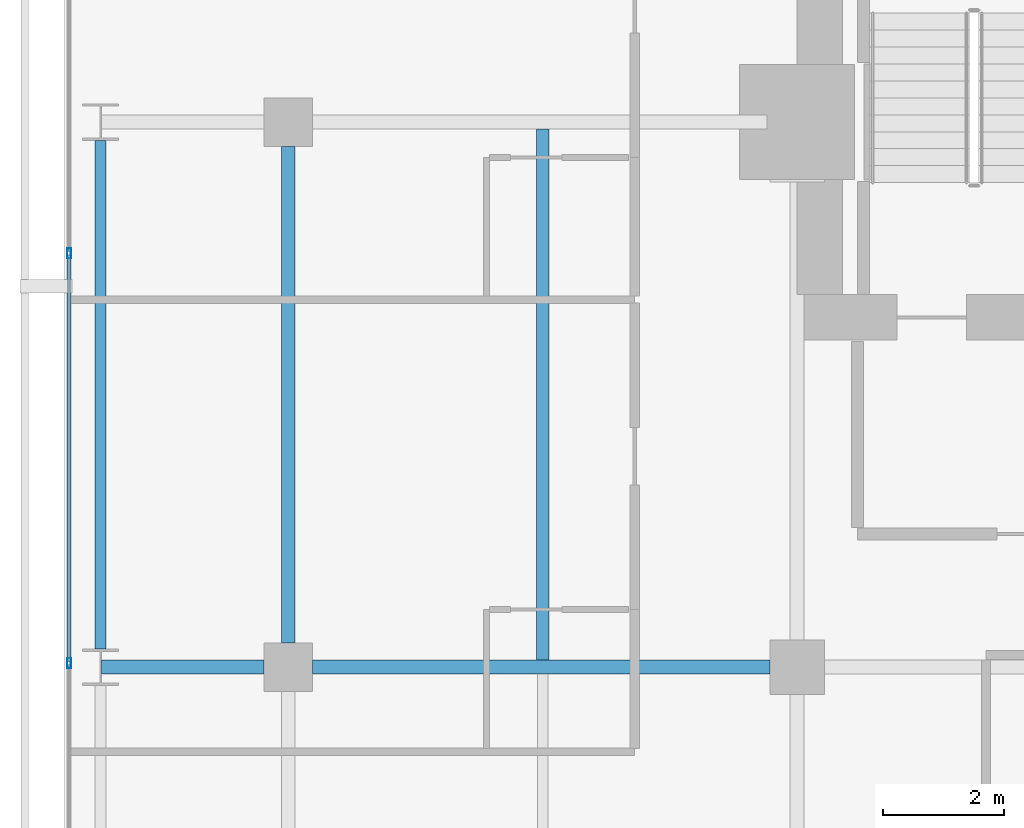
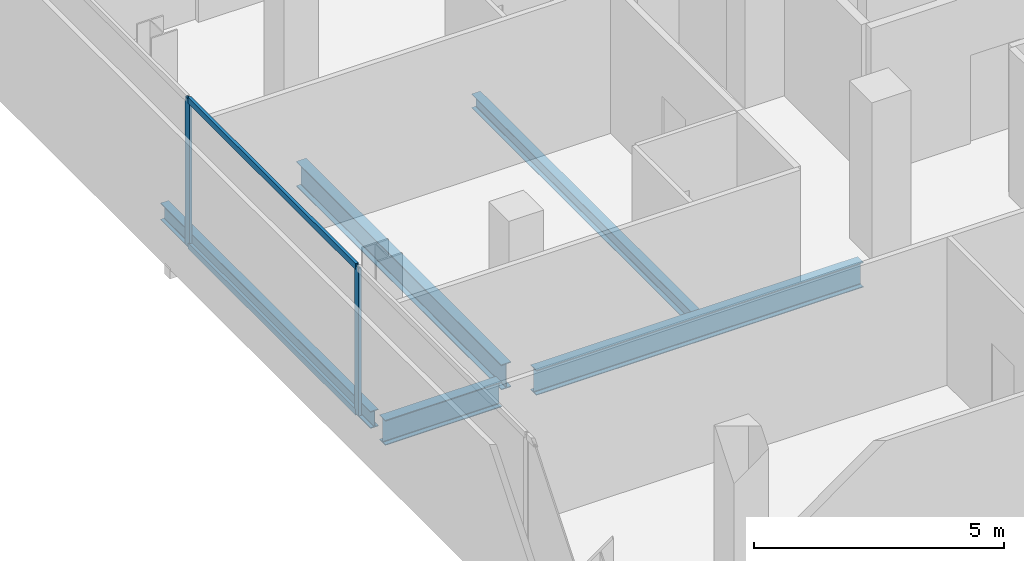
# One storey, part 18 of 33: 5 beams, 4 members, 1 element without a shape of its own.
"""IFC4 building model written with IfcOpenShell, lengths in metres."""

from ifc_helpers import new_model, si_unit, direction, frame, origin, origin_2d, place, context, subcontext, project, spatial, hollow_rectangle, i_section, extrude, material, layer, layer_set, material_profile, profile_set, type_object, element, aggregate, save


model = new_model("IFC4")

# Units and contexts
model_context = context("Model", 3, precision=1e-05, world=origin(), true_north=direction((0.0, 1.0)))
body_context = subcontext(model_context, "Body", "Model", "MODEL_VIEW")
ifc_project = project(units=[si_unit("LENGTHUNIT", "METRE"), si_unit("AREAUNIT", "SQUARE_METRE"), si_unit("VOLUMEUNIT", "CUBIC_METRE"), si_unit("PLANEANGLEUNIT", "RADIAN"), si_unit("MASSUNIT", "GRAM", prefix="KILO")], contexts=[model_context])

# Site, building, storey
site_placement = place(None, origin())
site = spatial("IfcSite", under=ifc_project, at=site_placement, CompositionType="ELEMENT")
building_placement = place(site_placement, origin())
building = spatial("IfcBuilding", under=site, at=building_placement, Name="Maruvema Waterfront Hotel and Observation Tower", CompositionType="ELEMENT")
storey_placement = place(building_placement, frame((0.0, 0.0, 154.35009765625)))
storey = spatial("IfcBuildingStorey", under=building, at=storey_placement, Name="L37", CompositionType="ELEMENT", Elevation=154.35009765625)

# Curtain wall, members
ifc_material_1 = material(Name="Anodised bronze aluminium and solar-control low-E IGU", Category="aluminium")
ifc_layer = layer(ifc_material_1, 0.159912109375, Name="Zone 2 Amber Inner Thermal Curtain Wall System CW-03")
ifc_layer_set = layer_set([ifc_layer], Name="Anodised bronze aluminium and solar-control low-E IGU")
curtain_wall_type = type_object("IfcCurtainWallType", Name="Zone 2 Amber Inner Thermal Curtain Wall System CW-03", PredefinedType="USERDEFINED", material=ifc_layer_set)
curtain_wall_placement = place(storey_placement, origin())
curtain_wall = element("IfcCurtainWall", 1, at=curtain_wall_placement, inside=storey, type_object=curtain_wall_type, Name="L37 Curtain Wall CW-L37-W", ObjectType="UNITISED CURTAIN WALL", PredefinedType="USERDEFINED")
ifc_material_2 = material(Name="Anodised architectural bronze aluminium", Category="aluminium")
ifc_material_profile_1 = material_profile(ifc_material_2, hollow_rectangle(XDim=0.070068359375, YDim=0.14990234375, WallThickness=0.00390625, at=origin_2d()), Name="ALU-T70x150")
ifc_profile_set_1 = profile_set([ifc_material_profile_1], Name="Anodised architectural bronze aluminium")
member_type_1 = type_object("IfcMemberType", Name="Curtain Wall Horizontal Transom ALU-T70x150", PredefinedType="USERDEFINED", material=ifc_profile_set_1)
member_1_placement = place(storey_placement, frame((13.179931640625, 42.80322265625, 0.02978515625), z_axis=(0.0, -1.0, 0.0), x_axis=(1.0, 0.0, 0.0)))
member_1 = element("IfcMember", 2, at=member_1_placement, type_object=member_type_1, Name="CW-03 transom 2.1", ObjectType="TRANSOM", PredefinedType="USERDEFINED", context=body_context, shape_type="SweptSolid", body=[
    extrude(hollow_rectangle(XDim=0.070068359375, YDim=0.14990234375, WallThickness=0.00390625, at=origin_2d()), origin(), (0.0, 0.0, 1.0), 6.70654296875),
])
member_2_placement = place(storey_placement, frame((13.179931640625, 42.80322265625, 3.579833984375), z_axis=(0.0, -1.0, 0.0), x_axis=(1.0, 0.0, 0.0)))
member_2 = element("IfcMember", 3, at=member_2_placement, type_object=member_type_1, Name="CW-03 transom 2.2", ObjectType="TRANSOM", PredefinedType="USERDEFINED", context=body_context, shape_type="SweptSolid", body=[
    extrude(hollow_rectangle(XDim=0.070068359375, YDim=0.14990234375, WallThickness=0.00390625, at=origin_2d()), origin(), (0.0, 0.0, 1.0), 6.70654296875),
])
ifc_material_3 = material(Name="Anodised architectural bronze aluminium", Category="aluminium")
ifc_material_profile_2 = material_profile(ifc_material_3, hollow_rectangle(XDim=0.06494140625, YDim=0.1650390625, WallThickness=0.00390625, at=origin_2d()), Name="ALU-M65x165")
ifc_profile_set_2 = profile_set([ifc_material_profile_2], Name="Anodised architectural bronze aluminium")
member_type_2 = type_object("IfcMemberType", Name="Curtain Wall Primary Mullion ALU-M65x165", PredefinedType="MULLION", material=ifc_profile_set_2)
member_3_placement = place(storey_placement, frame((13.179931640625, 42.833251953125, 0.0), z_axis=(0.0, 0.0, 1.0), x_axis=(1.0, 0.0, 0.0)))
member_3 = element("IfcMember", 4, at=member_3_placement, type_object=member_type_2, Name="CW-03 mullion 2", PredefinedType="MULLION", context=body_context, shape_type="SweptSolid", body=[
    extrude(hollow_rectangle(XDim=0.06494140625, YDim=0.1650390625, WallThickness=0.00390625, at=origin_2d()), origin(), (0.0, 0.0, 1.0), 3.60986328125),
])
member_4_placement = place(storey_placement, frame((13.179931640625, 36.066650390625, 0.0), z_axis=(0.0, 0.0, 1.0), x_axis=(1.0, 0.0, 0.0)))
member_4 = element("IfcMember", 5, at=member_4_placement, type_object=member_type_2, Name="CW-03 mullion 3", PredefinedType="MULLION", context=body_context, shape_type="SweptSolid", body=[
    extrude(hollow_rectangle(XDim=0.06494140625, YDim=0.1650390625, WallThickness=0.00390625, at=origin_2d()), origin(), (0.0, 0.0, 1.0), 3.60986328125),
])
aggregate(curtain_wall, [member_3, member_4, member_1, member_2])

# Beams
ifc_material_4 = material(Name="Steel ASTM A572 Grade 50", Category="steel")
ifc_material_profile_3 = material_profile(ifc_material_4, i_section(OverallWidth=0.180908203125, OverallDepth=0.4169921875, WebThickness=0.010986328125, FlangeThickness=0.018310546875, FilletRadius=0.014892578125, at=origin_2d()), Name="W410x85.0")
ifc_profile_set_3 = profile_set([ifc_material_profile_3], Name="Steel ASTM A572 Grade 50")
beam_type_1 = type_object("IfcBeamType", Name="Perimeter Spandrel Beam W410x85.0", PredefinedType="SPANDREL", material=ifc_profile_set_3)
beam_1_placement = place(storey_placement, frame((13.699951171875, 36.300048828125, -0.448486328125), z_axis=(0.0, 1.0, 0.0), x_axis=(-1.0, 0.0, 0.0)))
element("IfcBeam", 6, at=beam_1_placement, inside=storey, type_object=beam_type_1, Name="L37 Floor Girder NS-04", PredefinedType="SPANDREL", context=body_context, shape_type="SweptSolid", body=[
    extrude(i_section(OverallWidth=0.180908203125, OverallDepth=0.4169921875, WebThickness=0.010986328125, FlangeThickness=0.018310546875, FilletRadius=0.014892578125, at=origin_2d()), origin(), (0.0, 0.0, 1.0), 8.39990234375),
])
ifc_material_5 = material(Name="Steel ASTM A572 Grade 50", Category="steel")
ifc_material_profile_4 = material_profile(ifc_material_5, i_section(OverallWidth=0.22900390625, OverallDepth=0.612060546875, WebThickness=0.011962890625, FlangeThickness=0.01953125, FilletRadius=0.01806640625, at=origin_2d()), Name="W610x125.0")
ifc_profile_set_4 = profile_set([ifc_material_profile_4], Name="Steel ASTM A572 Grade 50")
beam_type_2 = type_object("IfcBeamType", Name="Primary Floor Girder W610x125.0", PredefinedType="BEAM", material=ifc_profile_set_4)
beam_2_placement = place(storey_placement, frame((13.71240234375, 36.0, -0.546142578125), z_axis=(1.0, 0.0, 0.0), x_axis=(0.0, 1.0, 0.0)))
element("IfcBeam", 7, at=beam_2_placement, inside=storey, type_object=beam_type_2, Name="L37 Floor Girder EW-23", PredefinedType="BEAM", context=body_context, shape_type="SweptSolid", body=[
    extrude(i_section(OverallWidth=0.22900390625, OverallDepth=0.612060546875, WebThickness=0.011962890625, FlangeThickness=0.01953125, FilletRadius=0.01806640625, at=origin_2d()), origin(), (0.0, 0.0, 1.0), 2.6875),
])
beam_3_placement = place(storey_placement, frame((17.199951171875, 36.0, -0.546142578125), z_axis=(1.0, 0.0, 0.0), x_axis=(0.0, 1.0, 0.0)))
element("IfcBeam", 8, at=beam_3_placement, inside=storey, type_object=beam_type_2, Name="L37 Floor Girder EW-24", PredefinedType="BEAM", context=body_context, shape_type="SweptSolid", body=[
    extrude(i_section(OverallWidth=0.22900390625, OverallDepth=0.612060546875, WebThickness=0.011962890625, FlangeThickness=0.01953125, FilletRadius=0.01806640625, at=origin_2d()), origin(), (0.0, 0.0, 1.0), 7.550048828125),
])
beam_4_placement = place(storey_placement, frame((16.800048828125, 36.39990234375, -0.546142578125), z_axis=(0.0, 1.0, 0.0), x_axis=(-1.0, 0.0, 0.0)))
element("IfcBeam", 9, at=beam_4_placement, inside=storey, type_object=beam_type_2, Name="L37 Floor Girder NS-08", PredefinedType="BEAM", context=body_context, shape_type="SweptSolid", body=[
    extrude(i_section(OverallWidth=0.22900390625, OverallDepth=0.612060546875, WebThickness=0.011962890625, FlangeThickness=0.01953125, FilletRadius=0.01806640625, at=origin_2d()), origin(), (0.0, 0.0, 1.0), 8.2001953125),
])
ifc_material_6 = material(Name="Steel ASTM A572 Grade 50", Category="steel")
ifc_material_profile_5 = material_profile(ifc_material_6, i_section(OverallWidth=0.202880859375, OverallDepth=0.346923828125, WebThickness=0.0078125, FlangeThickness=0.013427734375, FilletRadius=0.014892578125, at=origin_2d()), Name="W360x64.0")
ifc_profile_set_5 = profile_set([ifc_material_profile_5], Name="Steel ASTM A572 Grade 50")
beam_type_3 = type_object("IfcBeamType", Name="Secondary Floor Joist W360x64.0", PredefinedType="JOIST", material=ifc_profile_set_5)
beam_5_placement = place(storey_placement, frame((21.0, 36.114501953125, -0.41357421875), z_axis=(0.0, 1.0, 0.0), x_axis=(-1.0, 0.0, 0.0)))
element("IfcBeam", 10, at=beam_5_placement, inside=storey, type_object=beam_type_3, Name="L37 Secondary Floor Joist JS-04", PredefinedType="JOIST", context=body_context, shape_type="SweptSolid", body=[
    extrude(i_section(OverallWidth=0.202880859375, OverallDepth=0.346923828125, WebThickness=0.0078125, FlangeThickness=0.013427734375, FilletRadius=0.014892578125, at=origin_2d()), origin(), (0.0, 0.0, 1.0), 8.77099609375),
])

save(model, "model.ifc")
